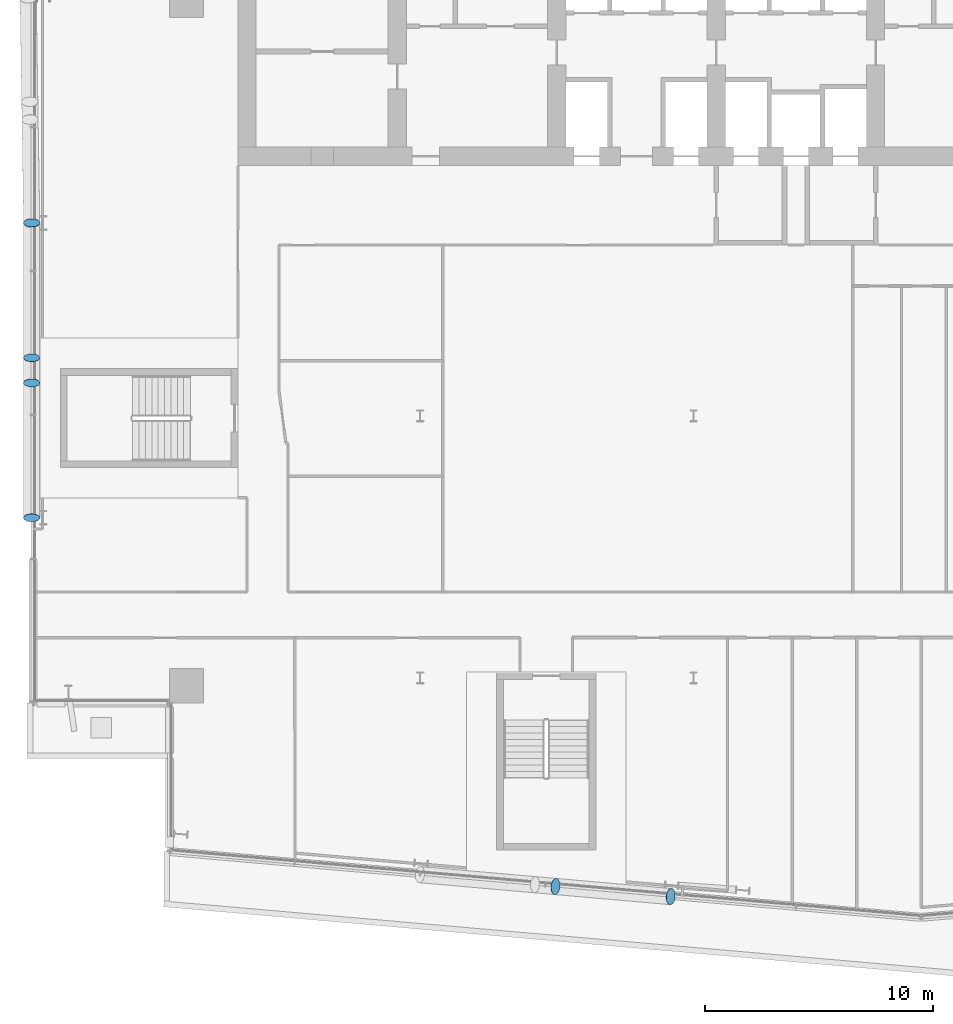
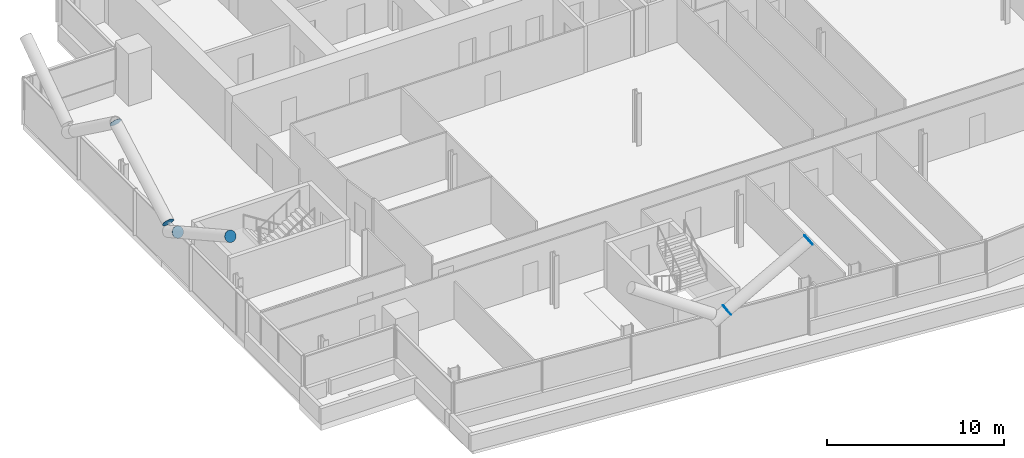
# One storey, part 24 of 30: 6 discrete accessories.
"""IFC4 building model written with IfcOpenShell, lengths in metres."""

from ifc_helpers import new_model, si_unit, direction, frame, origin, origin_2d, place, context, subcontext, project, spatial, circle, extrude, material, material_profile, profile_set, type_object, element, save


model = new_model("IFC4")

# Units and contexts
model_context = context("Model", 3, precision=1e-05, world=origin(), true_north=direction((0.0, 1.0)))
body_context = subcontext(model_context, "Body", "Model", "MODEL_VIEW")
ifc_project = project(units=[si_unit("LENGTHUNIT", "METRE"), si_unit("AREAUNIT", "SQUARE_METRE"), si_unit("VOLUMEUNIT", "CUBIC_METRE"), si_unit("PLANEANGLEUNIT", "RADIAN"), si_unit("MASSUNIT", "GRAM", prefix="KILO")], contexts=[model_context])

# Site, building, storey
site_placement = place(None, origin())
site = spatial("IfcSite", under=ifc_project, at=site_placement, CompositionType="ELEMENT")
building_placement = place(site_placement, origin())
building = spatial("IfcBuilding", under=site, at=building_placement, Name="Wharfspan Tower", CompositionType="ELEMENT")
storey_placement = place(building_placement, frame((0.0, 0.0, 151.899902)))
storey = spatial("IfcBuildingStorey", under=building, at=storey_placement, Name="L36", CompositionType="ELEMENT", Elevation=151.899902)

# Discrete accessories
ifc_material = material(Name="Steel S460NH", Category="steel")
ifc_material_profile = material_profile(ifc_material, circle(Radius=0.355469, at=origin_2d()))
ifc_profile_set = profile_set([ifc_material_profile], Name="Steel S460NH")
discrete_accessory_type = type_object("IfcDiscreteAccessoryType", Name="End plate CHS 711x36", PredefinedType="BRACKET", material=ifc_profile_set)
discrete_accessory_1_placement = place(storey_placement, frame((29.938721, 2.337891, 3.19043), z_axis=(0.837276, -0.073877, 0.541767), x_axis=(0.087893, 0.996132, 1e-06)))
element("IfcDiscreteAccessory", 1, at=discrete_accessory_1_placement, inside=storey, type_object=discrete_accessory_type, Name="End plate CHS 711x36", PredefinedType="BRACKET", context=body_context, shape_type="SweptSolid", body=[
    extrude(circle(Radius=0.355469, at=origin_2d()), origin(), (0.0, 0.0, 1.0), 0.01001),
])
discrete_accessory_2_placement = place(storey_placement, frame((34.995117, 1.895508, 6.5), z_axis=(0.83357, -0.071449, 0.547774), x_axis=(0.085401, 0.996343, 0.0)))
element("IfcDiscreteAccessory", 2, at=discrete_accessory_2_placement, inside=storey, type_object=discrete_accessory_type, Name="End plate CHS 711x36", PredefinedType="BRACKET", context=body_context, shape_type="SweptSolid", body=[
    extrude(circle(Radius=0.355469, at=origin_2d()), origin(), (0.0, 0.0, 1.0), 0.010254),
])
for number, where, z_axis, x_axis, name in (
    (3, (6.945068, 24.454346, 3.203857), (0.0, -0.874157, 0.485643), (1.0, 0.0, 0.0), "End plate CHS 711x36"),
    (4, (6.945068, 18.533447, 6.5), (0.0, -0.874157, 0.485643), (1.0, 0.0, 0.0), "End plate CHS 711x36"),
    (5, (6.945068, 25.545654, 3.203857), (0.0, 0.874157, 0.485643), (-1.0, 0.0, 0.0), "End plate CHS 711x36"),
    (6, (6.945068, 31.466553, 6.5), (0.0, 0.874157, 0.485643), (-1.0, 0.0, 0.0), "End plate CHS 711x36"),
):
    element("IfcDiscreteAccessory", number, at=place(storey_placement, frame(where, z_axis=z_axis, x_axis=x_axis)), inside=storey, type_object=discrete_accessory_type, Name=name, PredefinedType="BRACKET", context=body_context, shape_type="SweptSolid", body=[
        extrude(circle(Radius=0.355469, at=origin_2d()), origin(), (0.0, 0.0, 1.0), 0.01001),
    ])

save(model, "model.ifc")
